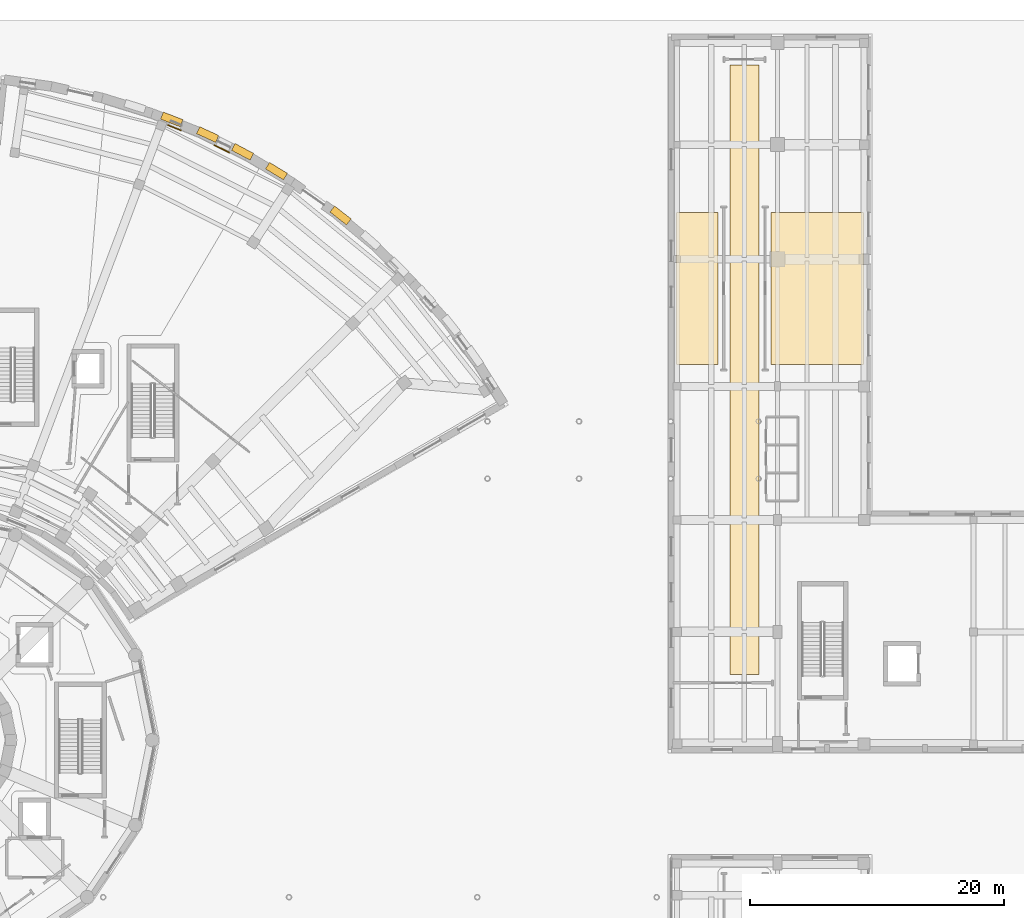
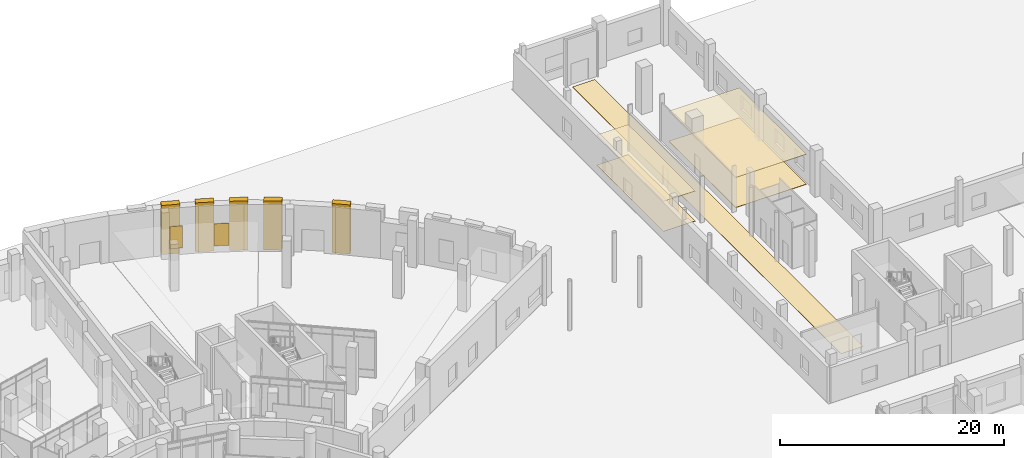
# One storey, part 73 of 74: 12 coverings.
"""IFC4 building model written with IfcOpenShell, lengths in metres."""

from ifc_helpers import new_model, si_unit, direction, frame, origin, origin_2d, place, context, subcontext, project, spatial, polyline, rectangle, outline, extrude, material, layer, layer_set, type_object, element, save


model = new_model("IFC4")

# Units and contexts
model_context = context("Model", 3, precision=1e-05, world=origin(), true_north=direction((0.0, 1.0)))
body_context = subcontext(model_context, "Body", "Model", "MODEL_VIEW")
ifc_project = project(units=[si_unit("LENGTHUNIT", "METRE"), si_unit("AREAUNIT", "SQUARE_METRE"), si_unit("VOLUMEUNIT", "CUBIC_METRE"), si_unit("PLANEANGLEUNIT", "RADIAN"), si_unit("MASSUNIT", "GRAM", prefix="KILO")], contexts=[model_context])

# Site, building, storey
site_placement = place(None, origin())
site = spatial("IfcSite", under=ifc_project, at=site_placement, CompositionType="ELEMENT")
building_placement = place(site_placement, origin())
building = spatial("IfcBuilding", under=site, at=building_placement, Name="Soyqirgoq Riverine Aquarium", CompositionType="ELEMENT")
storey_placement = place(building_placement, origin())
storey = spatial("IfcBuildingStorey", under=building, at=storey_placement, Name="L01", CompositionType="ELEMENT", Elevation=0.0)

# Coverings
ifc_material_1 = material(Name="Perforated mineral-fibre acoustic ceiling", Category="gypsum")
ifc_layer_1 = layer(ifc_material_1, 0.050048828125)
ifc_layer_set_1 = layer_set([ifc_layer_1], Name="Perforated mineral-fibre acoustic ceiling")
covering_type_1 = type_object("IfcCoveringType", Name="AcousticBaffleCeiling_50", PredefinedType="CEILING", material=ifc_layer_set_1)
covering_1_placement = place(storey_placement, frame((0.0, 0.0, 3.25)))
element("IfcCovering", 1, at=covering_1_placement, inside=storey, type_object=covering_type_1, Name="Husbandry Preparation Room Suspended Ceiling", PredefinedType="CEILING", context=body_context, shape_type="SweptSolid", body=[
    extrude(outline(polyline([(129.35009765625, 86.530029296875), (122.080078125, 86.530029296875), (122.080078125, 98.469970703125), (129.35009765625, 98.469970703125), (129.35009765625, 86.530029296875)])), origin(), (0.0, 0.0, 1.0), 0.050048828125),
])
ifc_material_2 = material(Name="Seamless slip-resistant marine epoxy flooring", Category="concrete")
ifc_layer_2 = layer(ifc_material_2, 0.02001953125)
ifc_layer_set_2 = layer_set([ifc_layer_2], Name="Seamless slip-resistant marine epoxy flooring")
covering_type_2 = type_object("IfcCoveringType", Name="EpoxyWetFloorFinish_20", PredefinedType="FLOORING", material=ifc_layer_set_2)
covering_2_placement = place(storey_placement, origin())
element("IfcCovering", 2, at=covering_2_placement, inside=storey, type_object=covering_type_2, Name="Life Support Plant Floor Finish", PredefinedType="FLOORING", context=body_context, shape_type="SweptSolid", body=[
    extrude(outline(polyline([(114.64990234375, 98.469970703125), (117.919921875, 98.469970703125), (117.919921875, 86.530029296875), (114.64990234375, 86.530029296875), (114.64990234375, 98.469970703125)])), origin(), (0.0, 0.0, 1.0), 0.02001953125),
])
ifc_material_3 = material(Name="Anodised aluminium marine moisture-resistant ceiling", Category="aluminium")
ifc_layer_3 = layer(ifc_material_3, 0.0400390625)
ifc_layer_set_3 = layer_set([ifc_layer_3], Name="Anodised aluminium marine moisture-resistant ceiling")
covering_type_3 = type_object("IfcCoveringType", Name="MoistureCeiling_40", PredefinedType="CEILING", material=ifc_layer_set_3)
covering_3_placement = place(storey_placement, frame((0.0, 0.0, 3.260009765625)))
element("IfcCovering", 3, at=covering_3_placement, inside=storey, type_object=covering_type_3, Name="Life Support Plant Suspended Ceiling", PredefinedType="CEILING", context=body_context, shape_type="SweptSolid", body=[
    extrude(outline(polyline([(114.64990234375, 98.469970703125), (117.919921875, 98.469970703125), (117.919921875, 86.530029296875), (114.64990234375, 86.530029296875), (114.64990234375, 98.469970703125)])), origin(), (0.0, 0.0, 1.0), 0.0400390625),
])
ifc_material_4 = material(Name="Anodised extruded aluminium sunshade", Category="aluminium")
covering_type_4 = type_object("IfcCoveringType", Name="SolarShadingLouvre_450", PredefinedType="USERDEFINED", material=ifc_material_4)
covering_4_placement = place(storey_placement, frame((75.2021484375, 105.130615234375, 0.75), z_axis=(0.0, 0.0, 1.0), x_axis=(0.928809552872, -0.37055743751, 0.0)))
element("IfcCovering", 4, at=covering_4_placement, inside=storey, type_object=covering_type_4, Name="V5 L01 Travertine Niche Solar Shade 0067", ObjectType="SOLAR_SHADING", PredefinedType="USERDEFINED", context=body_context, shape_type="SweptSolid", body=[
    extrude(rectangle(XDim=1.139892578125, YDim=0.080078125, at=origin_2d()), origin(), (0.0, 0.0, 1.0), 2.39990234375),
])
covering_5_placement = place(storey_placement, frame((78.919189453125, 103.4755859375, 0.75), z_axis=(0.0, 0.0, 1.0), x_axis=(0.896872741533, -0.442288690219, 0.0)))
element("IfcCovering", 5, at=covering_5_placement, inside=storey, type_object=covering_type_4, Name="V5 L01 Travertine Niche Solar Shade 0068", ObjectType="SOLAR_SHADING", PredefinedType="USERDEFINED", context=body_context, shape_type="SweptSolid", body=[
    extrude(rectangle(XDim=1.340087890625, YDim=0.080078125, at=origin_2d()), origin(), (0.0, 0.0, 1.0), 2.39990234375),
])
ifc_material_5 = material(Name="Polished Chirchiq river-pebble terrazzo flooring", Category="concrete")
ifc_layer_4 = layer(ifc_material_5, 0.030029296875)
ifc_layer_set_4 = layer_set([ifc_layer_4], Name="Polished Chirchiq river-pebble terrazzo flooring")
covering_type_5 = type_object("IfcCoveringType", Name="TerrazzoFloorFinish_30", PredefinedType="FLOORING", material=ifc_layer_set_4)
covering_6_placement = place(storey_placement, origin())
element("IfcCovering", 6, at=covering_6_placement, inside=storey, type_object=covering_type_5, Name="Life Support Service Corridor Floor Finish", PredefinedType="FLOORING", context=body_context, shape_type="SweptSolid", body=[
    extrude(outline(polyline([(118.85009765625, 62.14990234375), (118.85009765625, 110.050048828125), (121.14990234375, 110.050048828125), (121.14990234375, 62.14990234375), (118.85009765625, 62.14990234375)])), origin(), (0.0, 0.0, 1.0), 0.030029296875),
])
covering_7_placement = place(storey_placement, origin())
element("IfcCovering", 7, at=covering_7_placement, inside=storey, type_object=covering_type_5, Name="Husbandry Preparation Room Floor Finish", PredefinedType="FLOORING", context=body_context, shape_type="SweptSolid", body=[
    extrude(outline(polyline([(129.35009765625, 86.530029296875), (122.080078125, 86.530029296875), (122.080078125, 98.469970703125), (129.35009765625, 98.469970703125), (129.35009765625, 86.530029296875)])), origin(), (0.0, 0.0, 1.0), 0.030029296875),
])
ifc_material_6 = material(Name="Honed Uzbek travertine limestone vertical niche pier", Category="masonry")
covering_type_6 = type_object("IfcCoveringType", Name="TravertineNichePier_550", PredefinedType="CLADDING", material=ifc_material_6)
for number, where, z_axis, x_axis, name in (
    (8, (88.251953125, 98.235107421875, 0.0), (0.0, 0.0, 1.0), (0.616073992379, 0.787688286008, 0.0), "V5 L01 Travertine Vertical Niche Pier 123"),
    (9, (83.21484375, 101.719970703125, 0.0), (0.0, 0.0, 1.0), (0.519817342621, 0.854277431699, 0.0), "V5 L01 Travertine Vertical Niche Pier 124"),
    (10, (80.552001953125, 103.235595703125, 0.0), (0.0, 0.0, 1.0), (0.469009188174, 0.883193286551, 0.0), "V5 L01 Travertine Vertical Niche Pier 125"),
    (11, (77.80517578125, 104.5927734375, 0.0), (0.0, 0.0, 1.0), (0.416598150168, 0.909090744247, 0.0), "V5 L01 Travertine Vertical Niche Pier 126"),
    (12, (74.9833984375, 105.786865234375, 0.0), (0.0, 0.0, 1.0), (0.362600698822, 0.931944597717, 0.0), "V5 L01 Travertine Vertical Niche Pier 127"),
):
    element("IfcCovering", number, at=place(storey_placement, frame(where, z_axis=z_axis, x_axis=x_axis)), inside=storey, type_object=covering_type_6, Name=name, PredefinedType="CLADDING", context=body_context, shape_type="SweptSolid", body=[
        extrude(rectangle(XDim=0.60009765625, YDim=1.64990234375, at=origin_2d()), origin(), (0.0, 0.0, 1.0), 5.35009765625),
    ])

save(model, "model.ifc")
